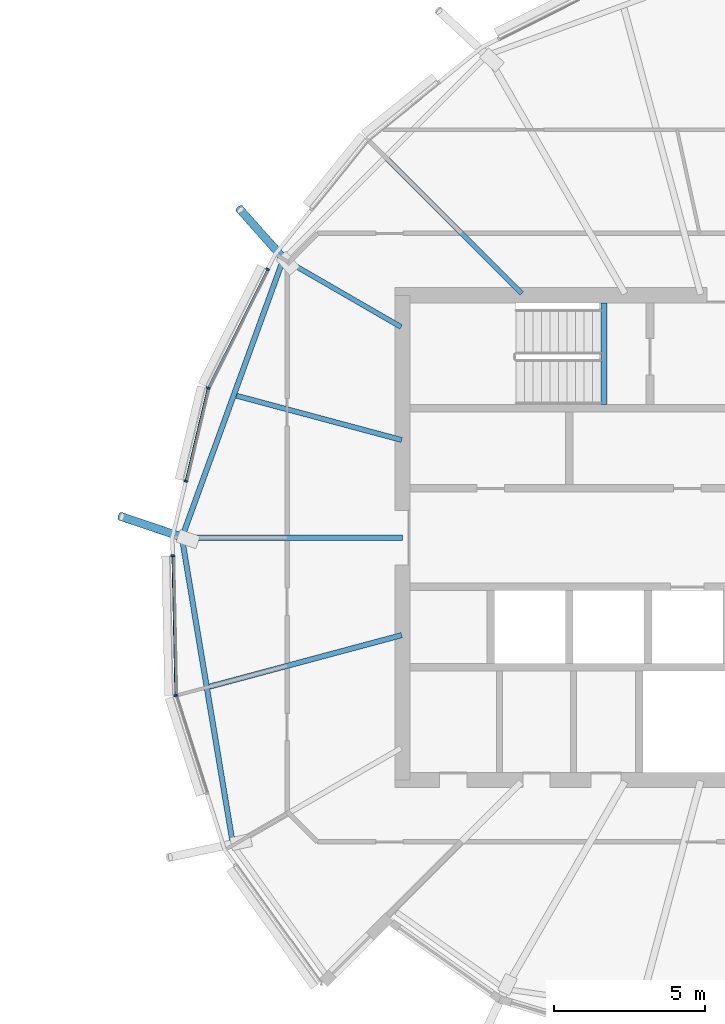
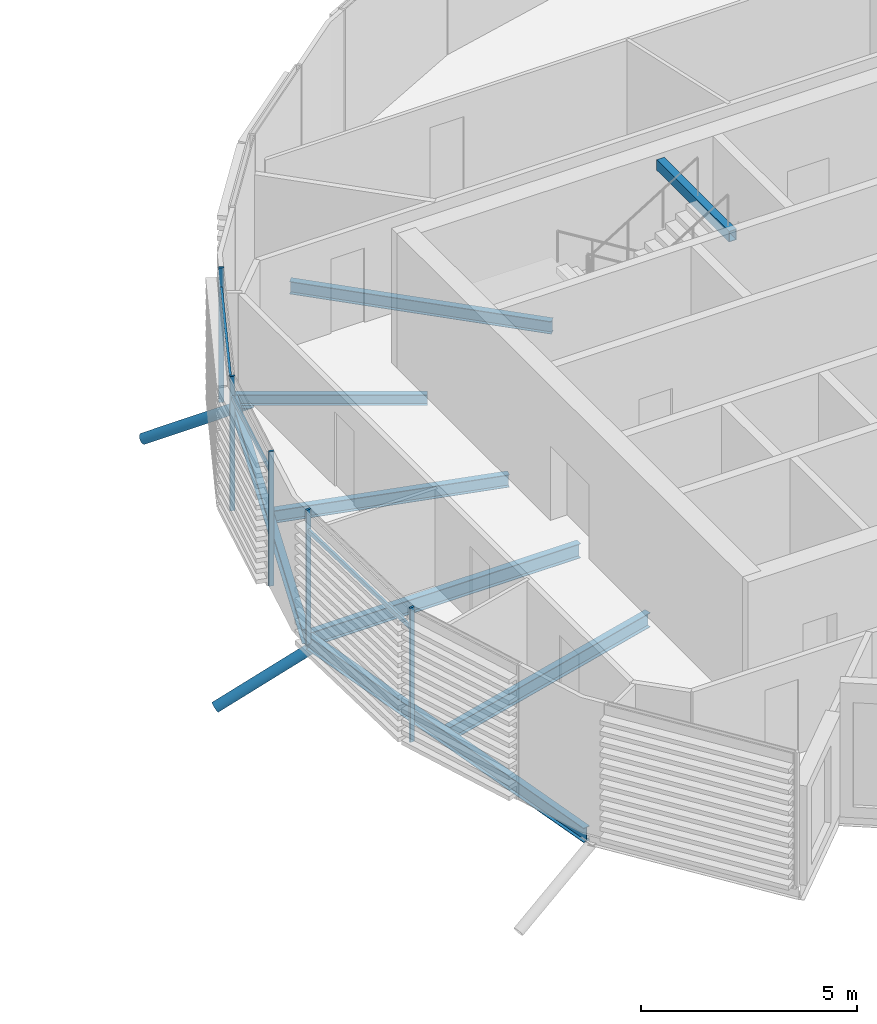
# One storey, part 11 of 35: 10 members, 8 beams, 1 element without a shape of its own.
"""IFC4 building model written with IfcOpenShell, lengths in metres."""

from ifc_helpers import new_model, si_unit, direction, frame, origin, origin_2d, place, context, subcontext, project, spatial, rectangle, hollow_rectangle, hollow_circle, i_section, extrude, clip, halfspace, material, material_profile, profile_set, type_object, element, aggregate, save


model = new_model("IFC4")

# Units and contexts
model_context = context("Model", 3, precision=1e-05, world=origin(), true_north=direction((0.0, 1.0)))
body_context = subcontext(model_context, "Body", "Model", "MODEL_VIEW")
ifc_project = project(units=[si_unit("LENGTHUNIT", "METRE"), si_unit("AREAUNIT", "SQUARE_METRE"), si_unit("VOLUMEUNIT", "CUBIC_METRE"), si_unit("PLANEANGLEUNIT", "RADIAN"), si_unit("MASSUNIT", "GRAM", prefix="KILO")], contexts=[model_context])

# Site, building, storey
site_placement = place(None, origin())
site = spatial("IfcSite", under=ifc_project, at=site_placement, CompositionType="ELEMENT")
building_placement = place(site_placement, origin())
building = spatial("IfcBuilding", under=site, at=building_placement, Name="Rimbun Link Towers", CompositionType="ELEMENT")
storey_placement = place(building_placement, frame((0.0, 0.0, 225.699951171875)))
storey = spatial("IfcBuildingStorey", under=building, at=storey_placement, Name="L55", CompositionType="ELEMENT", Elevation=225.699951171875)

# Curtain wall, members
ifc_material_1 = material(Name="Aluminium 6063-T6 and low-iron glass", Category="aluminium")
curtain_wall_type = type_object("IfcCurtainWallType", Name="CW1-Z4 unitised vision wall (zone 4)", PredefinedType="NOTDEFINED", material=ifc_material_1)
curtain_wall_placement = place(storey_placement, origin())
curtain_wall = element("IfcCurtainWall", 1, at=curtain_wall_placement, inside=storey, type_object=curtain_wall_type, Name="CW1 L55 T2", PredefinedType="NOTDEFINED")
ifc_material_2 = material(Name="Aluminium 6063-T6", Category="aluminium")
ifc_material_profile_1 = material_profile(ifc_material_2, rectangle(XDim=0.1201171875, YDim=0.06005859375, at=origin_2d()), Name="MULLION 60X120")
ifc_profile_set_1 = profile_set([ifc_material_profile_1], Name="Aluminium 6063-T6")
member_type_1 = type_object("IfcMemberType", Name="CW1 mullion 60X120", PredefinedType="MULLION", material=ifc_profile_set_1)
member_1_placement = place(storey_placement, frame((13.3330078125, 4.940185546875, 0.0), z_axis=(0.0, 0.0, 1.0), x_axis=(-0.939348465914, 0.342964224935, 0.0)))
member_1 = element("IfcMember", 2, at=member_1_placement, type_object=member_type_1, Name="CW1 mullion", PredefinedType="MULLION", context=body_context, shape_type="SweptSolid", body=[
    extrude(rectangle(XDim=0.1201171875, YDim=0.06005859375, at=origin_2d()), origin(), (0.0, 0.0, 1.0), 3.800048828125),
])
member_2_placement = place(storey_placement, frame((15.300537109375, 8.859130859375, 0.0), z_axis=(0.0, 0.0, 1.0), x_axis=(-0.893646631938, 0.448771319523, 0.0)))
member_2 = element("IfcMember", 3, at=member_2_placement, type_object=member_type_1, Name="CW1 mullion", PredefinedType="MULLION", context=body_context, shape_type="SweptSolid", body=[
    extrude(rectangle(XDim=0.1201171875, YDim=0.06005859375, at=origin_2d()), origin(), (0.0, 0.0, 1.0), 3.800048828125),
])
member_3_placement = place(storey_placement, frame((12.59619140625, 1.86181640625, 0.0), z_axis=(0.0, 0.0, 1.0), x_axis=(-0.972572183777, 0.232601262555, 0.0)))
member_3 = element("IfcMember", 4, at=member_3_placement, type_object=member_type_1, Name="CW1 mullion", PredefinedType="MULLION", context=body_context, shape_type="SweptSolid", body=[
    extrude(rectangle(XDim=0.1201171875, YDim=0.06005859375, at=origin_2d()), origin(), (0.0, 0.0, 1.0), 3.800048828125),
])
member_4_placement = place(storey_placement, frame((12.26318359375, -5.21533203125, 0.0), z_axis=(0.0, 0.0, 1.0), x_axis=(-0.986503254432, -0.163741653209, 0.0)))
member_4 = element("IfcMember", 5, at=member_4_placement, type_object=member_type_1, Name="CW1 mullion", PredefinedType="MULLION", context=body_context, shape_type="SweptSolid", body=[
    extrude(rectangle(XDim=0.1201171875, YDim=0.06005859375, at=origin_2d()), origin(), (0.0, 0.0, 1.0), 3.800048828125),
])
member_5_placement = place(storey_placement, frame((12.165283203125, -0.60107421875, 0.0), z_axis=(0.0, 0.0, 1.0), x_axis=(-0.999778028585, -0.021068781637, 0.0)))
member_5 = element("IfcMember", 6, at=member_5_placement, type_object=member_type_1, Name="CW1 mullion", PredefinedType="MULLION", context=body_context, shape_type="SweptSolid", body=[
    extrude(rectangle(XDim=0.1201171875, YDim=0.06005859375, at=origin_2d()), origin(), (0.0, 0.0, 1.0), 3.800048828125),
])
ifc_material_3 = material(Name="Aluminium 6063-T6", Category="aluminium")
ifc_material_profile_2 = material_profile(ifc_material_3, rectangle(XDim=0.06005859375, YDim=0.1201171875, at=origin_2d()), Name="TRANSOM 60X120")
ifc_profile_set_2 = profile_set([ifc_material_profile_2], Name="Aluminium 6063-T6")
member_type_2 = type_object("IfcMemberType", Name="CW1 transom 60X120", PredefinedType="USERDEFINED", material=ifc_profile_set_2)
member_6_placement = place(storey_placement, frame((13.350830078125, 4.97265625, 3.199951171875), z_axis=(0.448818625493, 0.893622874265, 0.0), x_axis=(-0.893622874265, 0.448818625493, 0.0)))
member_6 = element("IfcMember", 7, at=member_6_placement, type_object=member_type_2, Name="CW1 transom", ObjectType="TRANSOM", PredefinedType="USERDEFINED", context=body_context, shape_type="SweptSolid", body=[
    extrude(rectangle(XDim=0.06005859375, YDim=0.1201171875, at=origin_2d()), origin(), (0.0, 0.0, 1.0), 4.31787109375),
])
member_7_placement = place(storey_placement, frame((12.605224609375, 1.890625, 3.199951171875), z_axis=(0.232603998609, 0.972571529416, 0.0), x_axis=(-0.972571529416, 0.232603998609, 0.0)))
member_7 = element("IfcMember", 8, at=member_7_placement, type_object=member_type_2, Name="CW1 transom", ObjectType="TRANSOM", PredefinedType="USERDEFINED", context=body_context, shape_type="SweptSolid", body=[
    extrude(rectangle(XDim=0.06005859375, YDim=0.1201171875, at=origin_2d()), origin(), (0.0, 0.0, 1.0), 3.098388671875),
])
member_8_placement = place(storey_placement, frame((12.263671875, -5.1767578125, 3.199951171875), z_axis=(-0.021049097682, 0.9997784432, 0.0), x_axis=(-0.9997784432, -0.021049097682, 0.0)))
member_8 = element("IfcMember", 9, at=member_8_placement, type_object=member_type_2, Name="CW1 transom", ObjectType="TRANSOM", PredefinedType="USERDEFINED", context=body_context, shape_type="SweptSolid", body=[
    extrude(rectangle(XDim=0.06005859375, YDim=0.1201171875, at=origin_2d()), origin(), (0.0, 0.0, 1.0), 4.546630859375),
])
aggregate(curtain_wall, [member_1, member_2, member_3, member_4, member_5, member_6, member_7, member_8])

# Members
ifc_material_4 = material(Name="Steel S355J2H", Category="steel")
ifc_material_profile_3 = material_profile(ifc_material_4, hollow_circle(Radius=0.136474609375, WallThickness=0.012451171875, at=origin_2d()), Name="CHS 273x12.5")
ifc_profile_set_3 = profile_set([ifc_material_profile_3], Name="Steel S355J2H")
member_type_3 = type_object("IfcMemberType", Name="Floor edge link CHS 273x12.5", PredefinedType="BRACE", material=ifc_profile_set_3)
member_9_placement = place(storey_placement, frame((15.86328125, 9.172119140625, -0.5595703125), z_axis=(-0.566853311794, 0.638840544487, -0.520153901868), x_axis=(-0.747993300441, -0.663706277276, 0.0)))
element("IfcMember", 10, at=member_9_placement, inside=storey, type_object=member_type_3, Name="Floor edge link T2 L55 07", PredefinedType="BRACE", context=body_context, shape_type="Clipping", body=[
    clip(extrude(hollow_circle(Radius=0.136474609375, WallThickness=0.012451171875, at=origin_2d()), frame((0.0, 0.0, -0.467529296875)), (0.0, 0.0, 1.0), 3.11279296875), halfspace(frame((0.0, 0.0, -0.219482421875), z_axis=(0.0, 0.854072548658, -0.520153901868)), False)),
])
member_10_placement = place(storey_placement, frame((12.519775390625, 0.0, -0.662841796875), z_axis=(-0.812061540604, 0.274424728442, -0.515021477893), x_axis=(-0.320149328608, -0.947367092204, 0.0)))
element("IfcMember", 11, at=member_10_placement, inside=storey, type_object=member_type_3, Name="Floor edge link T2 L55 09", PredefinedType="BRACE", context=body_context, shape_type="Clipping", body=[
    clip(extrude(hollow_circle(Radius=0.136474609375, WallThickness=0.012451171875, at=origin_2d()), frame((0.0, 0.0, -0.473876953125)), (0.0, 0.0, 1.0), 3.043212890625), halfspace(frame((0.0, 0.0, -0.222412109375), z_axis=(0.0, 0.857177272977, -0.515021477893)), False)),
])

# Beams
ifc_material_5 = material(Name="Steel S355J2", Category="steel")
ifc_material_profile_4 = material_profile(ifc_material_5, hollow_rectangle(XDim=0.199951171875, YDim=0.300048828125, WallThickness=0.011962890625, at=origin_2d()), Name="BOX 300x200x12")
ifc_profile_set_4 = profile_set([ifc_material_profile_4], Name="Steel S355J2")
beam_type_1 = type_object("IfcBeamType", Name="Stair trimmer beam BOX 300x200x12", PredefinedType="BEAM", material=ifc_profile_set_4)
beam_1_placement = place(storey_placement, frame((26.39990234375, 7.75, 3.510009765625), z_axis=(0.0, -1.0, 0.0), x_axis=(1.0, 0.0, 0.0)))
element("IfcBeam", 12, at=beam_1_placement, inside=storey, type_object=beam_type_1, Name="L55 ST3 stair beam 1", PredefinedType="BEAM", context=body_context, shape_type="SweptSolid", body=[
    extrude(hollow_rectangle(XDim=0.199951171875, YDim=0.300048828125, WallThickness=0.011962890625, at=origin_2d()), origin(), (0.0, 0.0, 1.0), 3.35009765625),
])
ifc_material_6 = material(Name="Steel S355J2", Category="steel")
ifc_material_profile_5 = material_profile(ifc_material_6, i_section(OverallWidth=0.1650390625, OverallDepth=0.303466796875, WebThickness=0.006103515625, FlangeThickness=0.01025390625, at=origin_2d()), Name="UB 305x165x40")
ifc_profile_set_5 = profile_set([ifc_material_profile_5], Name="Steel S355J2")
beam_type_2 = type_object("IfcBeamType", Name="UB 305x165x40", PredefinedType="BEAM", material=ifc_profile_set_5)
beam_2_placement = place(storey_placement, frame((19.7080078125, 6.952392578125, -0.291748046875), z_axis=(-0.866032539631, 0.499987640148, 0.0), x_axis=(-0.499987640148, -0.866032539631, 0.0)))
element("IfcBeam", 13, at=beam_2_placement, inside=storey, type_object=beam_type_2, Name="Radial beam T2 L55 07", PredefinedType="BEAM", context=body_context, shape_type="SweptSolid", body=[
    extrude(i_section(OverallWidth=0.1650390625, OverallDepth=0.303466796875, WebThickness=0.006103515625, FlangeThickness=0.01025390625, at=origin_2d()), origin(), (0.0, 0.0, 1.0), 4.4892578125),
])
ifc_material_7 = material(Name="Steel S355J2", Category="steel")
ifc_material_profile_6 = material_profile(ifc_material_7, i_section(OverallWidth=0.17138671875, OverallDepth=0.35498046875, WebThickness=0.00732421875, FlangeThickness=0.011474609375, at=origin_2d()), Name="UB 356x171x51")
ifc_profile_set_6 = profile_set([ifc_material_profile_6], Name="Steel S355J2")
beam_type_3 = type_object("IfcBeamType", Name="UB 356x171x51", PredefinedType="BEAM", material=ifc_profile_set_6)
beam_3_placement = place(storey_placement, frame((23.688720703125, 8.061279296875, -0.3173828125), z_axis=(-0.707106781187, 0.707106781187, 0.0), x_axis=(-0.707106781187, -0.707106781187, 0.0)))
element("IfcBeam", 14, at=beam_3_placement, inside=storey, type_object=beam_type_3, Name="Radial beam T2 L55 06", PredefinedType="BEAM", context=body_context, shape_type="SweptSolid", body=[
    extrude(i_section(OverallWidth=0.17138671875, OverallDepth=0.35498046875, WebThickness=0.00732421875, FlangeThickness=0.011474609375, at=origin_2d()), origin(), (0.0, 0.0, 1.0), 6.27734375),
])
beam_4_placement = place(storey_placement, frame((19.726806640625, 3.2216796875, -0.3173828125), z_axis=(-0.965929335285, 0.258805948998, 0.0), x_axis=(-0.258805948998, -0.965929335285, 0.0)))
element("IfcBeam", 15, at=beam_4_placement, inside=storey, type_object=beam_type_3, Name="Radial beam T2 L55 08", PredefinedType="BEAM", context=body_context, shape_type="SweptSolid", body=[
    extrude(i_section(OverallWidth=0.17138671875, OverallDepth=0.35498046875, WebThickness=0.00732421875, FlangeThickness=0.011474609375, at=origin_2d()), origin(), (0.0, 0.0, 1.0), 5.647705078125),
])
ifc_material_8 = material(Name="Steel S355J2", Category="steel")
ifc_material_profile_7 = material_profile(ifc_material_8, i_section(OverallWidth=0.177978515625, OverallDepth=0.406494140625, WebThickness=0.0078125, FlangeThickness=0.0126953125, at=origin_2d()), Name="UB 406x178x60")
ifc_profile_set_7 = profile_set([ifc_material_profile_7], Name="Steel S355J2")
beam_type_4 = type_object("IfcBeamType", Name="UB 406x178x60", PredefinedType="BEAM", material=ifc_profile_set_7)
beam_5_placement = place(storey_placement, frame((19.7490234375, 0.0, -0.34326171875), z_axis=(-1.0, 0.0, 0.0), x_axis=(0.0, -1.0, 0.0)))
element("IfcBeam", 16, at=beam_5_placement, inside=storey, type_object=beam_type_4, Name="Radial beam T2 L55 09", PredefinedType="BEAM", context=body_context, shape_type="SweptSolid", body=[
    extrude(i_section(OverallWidth=0.177978515625, OverallDepth=0.406494140625, WebThickness=0.0078125, FlangeThickness=0.0126953125, at=origin_2d()), origin(), (0.0, 0.0, 1.0), 7.279296875),
])
beam_6_placement = place(storey_placement, frame((19.72607421875, -3.2216796875, -0.34326171875), z_axis=(-0.965919688064, -0.258841952185, 0.0), x_axis=(0.258841952185, -0.965919688064, 0.0)))
element("IfcBeam", 17, at=beam_6_placement, inside=storey, type_object=beam_type_4, Name="Radial beam T2 L55 10", PredefinedType="BEAM", context=body_context, shape_type="SweptSolid", body=[
    extrude(i_section(OverallWidth=0.177978515625, OverallDepth=0.406494140625, WebThickness=0.0078125, FlangeThickness=0.0126953125, at=origin_2d()), origin(), (0.0, 0.0, 1.0), 6.5703125),
])
beam_7_placement = place(storey_placement, frame((15.791015625, 9.117431640625, -0.34326171875), z_axis=(-0.342277552757, -0.939598891484, 0.0), x_axis=(0.939598891484, -0.342277552757, 0.0)))
element("IfcBeam", 18, at=beam_7_placement, inside=storey, type_object=beam_type_4, Name="Edge beam T2 L55 07-09", PredefinedType="BEAM", context=body_context, shape_type="SweptSolid", body=[
    extrude(i_section(OverallWidth=0.177978515625, OverallDepth=0.406494140625, WebThickness=0.0078125, FlangeThickness=0.0126953125, at=origin_2d()), origin(), (0.0, 0.0, 1.0), 9.60791015625),
])
beam_8_placement = place(storey_placement, frame((12.484619140625, -0.08984375, -0.34326171875), z_axis=(0.16408184561, -0.986446728385, 0.0), x_axis=(0.986446728385, 0.16408184561, 0.0)))
element("IfcBeam", 19, at=beam_8_placement, inside=storey, type_object=beam_type_4, Name="Edge beam T2 L55 09-11", PredefinedType="BEAM", context=body_context, shape_type="SweptSolid", body=[
    extrude(i_section(OverallWidth=0.177978515625, OverallDepth=0.406494140625, WebThickness=0.0078125, FlangeThickness=0.0126953125, at=origin_2d()), origin(), (0.0, 0.0, 1.0), 10.11181640625),
])

save(model, "model.ifc")
